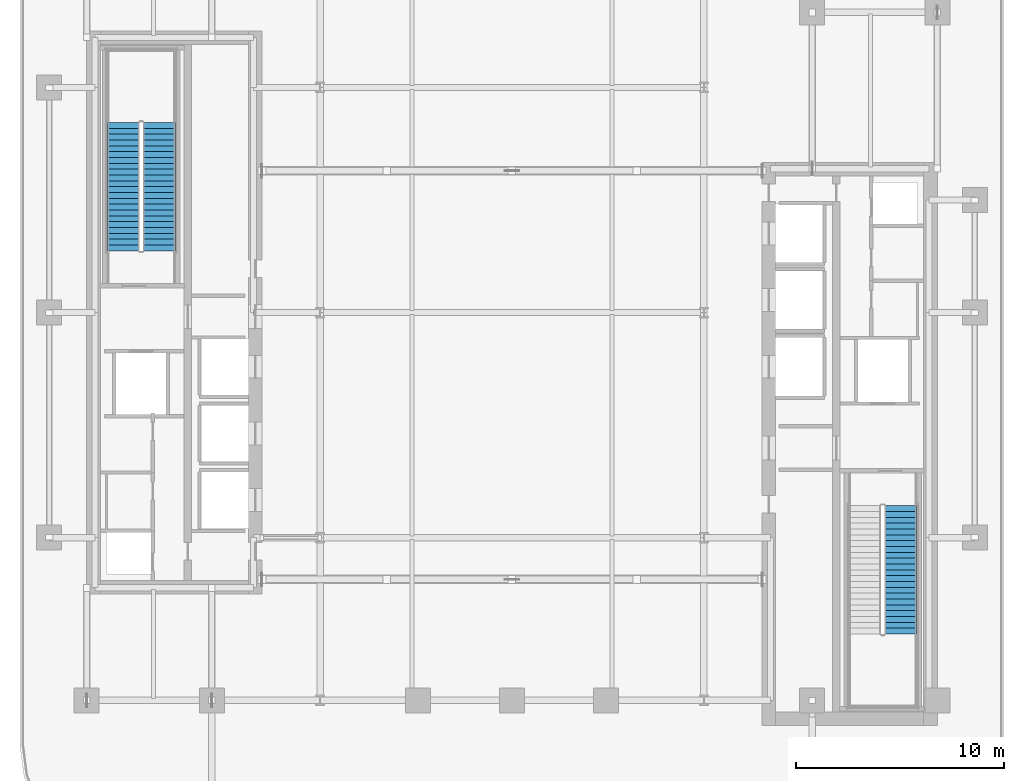
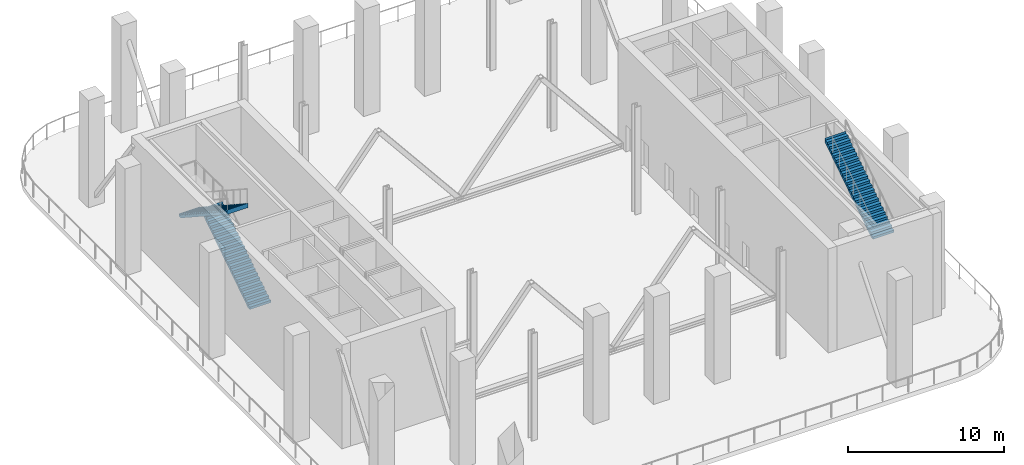
# One storey, part 7 of 13: 3 stair flights, 2 elements without a shape of their own.
"""IFC4 building model written with IfcOpenShell, lengths in metres."""

from ifc_helpers import new_model, si_unit, direction, frame, origin, place, context, subcontext, project, spatial, polyline, outline, extrude, material, layer, layer_set, type_object, element, aggregate, save


model = new_model("IFC4")

# Units and contexts
model_context = context("Model", 3, precision=1e-05, world=origin(), true_north=direction((0.0, 1.0)))
body_context = subcontext(model_context, "Body", "Model", "MODEL_VIEW")
ifc_project = project(units=[si_unit("LENGTHUNIT", "METRE"), si_unit("AREAUNIT", "SQUARE_METRE"), si_unit("VOLUMEUNIT", "CUBIC_METRE"), si_unit("PLANEANGLEUNIT", "RADIAN"), si_unit("MASSUNIT", "GRAM", prefix="KILO")], contexts=[model_context])

# Site, building, storey
site_placement = place(None, origin())
site = spatial("IfcSite", under=ifc_project, at=site_placement, CompositionType="ELEMENT")
building_placement = place(site_placement, origin())
building = spatial("IfcBuilding", under=site, at=building_placement, Name="Khairoan Windgate Tower", CompositionType="ELEMENT")
storey_placement = place(building_placement, frame((0.0, 0.0, 152.0)))
storey = spatial("IfcBuildingStorey", under=building, at=storey_placement, Name="L35", CompositionType="ELEMENT", Elevation=152.0)

# Stair, stair flight
ifc_material_1 = material(Name="Concrete C40/50", Category="concrete")
stair_type = type_object("IfcStairType", Name="Tower Core Dog-Leg Stair ST-T1 1560mm", PredefinedType="HALF_TURN_STAIR", material=ifc_material_1)
stair_1_placement = place(storey_placement, origin())
stair_1 = element("IfcStair", 1, at=stair_1_placement, inside=storey, type_object=stair_type, Name="L35 Stair ST1", PredefinedType="HALF_TURN_STAIR")
ifc_material_2 = material(Name="Concrete C40/50", Category="concrete")
ifc_layer = layer(ifc_material_2, 0.14990234375, Name="Concrete C40/50")
ifc_layer_set = layer_set([ifc_layer], Name="Concrete C40/50")
stair_flight_type = type_object("IfcStairFlightType", Name="Tower Core Stair Flight STF-1560", PredefinedType="STRAIGHT", material=ifc_layer_set)
stair_flight_1_placement = place(storey_placement, frame((18.639892578125, -15.419921875, 4.199951171875), z_axis=(0.0, 0.0, 1.0), x_axis=(0.0, 1.0, 0.0)))
stair_flight_1 = element("IfcStairFlight", 2, at=stair_flight_1_placement, type_object=stair_flight_type, Name="ST1 flight 2", NumberOfRisers=23, NumberOfTreads=22, PredefinedType="STRAIGHT", RiserHeight=0.182608696, TreadLength=0.28, context=body_context, shape_type="SweptSolid", body=[
    extrude(outline(polyline([(-0.00390625, 0.0), (-0.00390625, 0.1826171875), (0.0, 0.1826171875), (0.280029296875, 0.1826171875), (0.280029296875, 0.365234375), (0.56005859375, 0.365234375), (0.56005859375, 0.5478515625), (0.840087890625, 0.5478515625), (0.840087890625, 0.73046875), (1.1201171875, 0.73046875), (1.1201171875, 0.9130859375), (1.39990234375, 0.9130859375), (1.39990234375, 1.095703125), (1.679931640625, 1.095703125), (1.679931640625, 1.2783203125), (1.9599609375, 1.2783203125), (1.9599609375, 1.4609375), (2.239990234375, 1.4609375), (2.239990234375, 1.6435546875), (2.52001953125, 1.6435546875), (2.52001953125, 1.826171875), (2.800048828125, 1.826171875), (2.800048828125, 2.0087890625), (3.080078125, 2.0087890625), (3.080078125, 2.19140625), (3.360107421875, 2.19140625), (3.360107421875, 2.3740234375), (3.639892578125, 2.3740234375), (3.639892578125, 2.556640625), (3.919921875, 2.556640625), (3.919921875, 2.739013671875), (4.199951171875, 2.739013671875), (4.199951171875, 2.921630859375), (4.47998046875, 2.921630859375), (4.47998046875, 3.104248046875), (4.760009765625, 3.104248046875), (4.760009765625, 3.286865234375), (5.0400390625, 3.286865234375), (5.0400390625, 3.469482421875), (5.320068359375, 3.469482421875), (5.320068359375, 3.652099609375), (5.60009765625, 3.652099609375), (5.60009765625, 3.834716796875), (5.8798828125, 3.834716796875), (5.8798828125, 4.017333984375), (6.159912109375, 4.017333984375), (6.159912109375, 4.199951171875), (6.1640625, 4.199951171875), (6.1640625, 3.83837890625), (0.2744140625, 0.0), (-0.00390625, 0.0)])), frame((0.0, 0.780029296875, 0.0), z_axis=(0.0, -1.0, 0.0), x_axis=(1.0, 0.0, 0.0)), (0.0, 0.0, 1.0), 1.56005859375),
])
aggregate(stair_1, [stair_flight_1])

# Stair, stair flights
stair_2_placement = place(storey_placement, origin())
stair_2 = element("IfcStair", 3, at=stair_2_placement, inside=storey, type_object=stair_type, Name="L35 Stair ST2", PredefinedType="HALF_TURN_STAIR")
stair_flight_2_placement = place(storey_placement, frame((-16.929931640625, 2.9599609375, 0.0), z_axis=(0.0, 0.0, 1.0), x_axis=(0.0, 1.0, 0.0)))
stair_flight_2 = element("IfcStairFlight", 4, at=stair_flight_2_placement, type_object=stair_flight_type, Name="ST2 flight 1", NumberOfRisers=23, NumberOfTreads=22, PredefinedType="STRAIGHT", RiserHeight=0.182608696, TreadLength=0.28, context=body_context, shape_type="SweptSolid", body=[
    extrude(outline(polyline([(-0.00390625, 0.0), (-0.00390625, 0.1826171875), (0.0, 0.1826171875), (0.280029296875, 0.1826171875), (0.280029296875, 0.365234375), (0.56005859375, 0.365234375), (0.56005859375, 0.5478515625), (0.840087890625, 0.5478515625), (0.840087890625, 0.73046875), (1.1201171875, 0.73046875), (1.1201171875, 0.9130859375), (1.39990234375, 0.9130859375), (1.39990234375, 1.095703125), (1.679931640625, 1.095703125), (1.679931640625, 1.2783203125), (1.9599609375, 1.2783203125), (1.9599609375, 1.4609375), (2.239990234375, 1.4609375), (2.239990234375, 1.6435546875), (2.52001953125, 1.6435546875), (2.52001953125, 1.826171875), (2.800048828125, 1.826171875), (2.800048828125, 2.0087890625), (3.080078125, 2.0087890625), (3.080078125, 2.19140625), (3.360107421875, 2.19140625), (3.360107421875, 2.3740234375), (3.639892578125, 2.3740234375), (3.639892578125, 2.556640625), (3.919921875, 2.556640625), (3.919921875, 2.739013671875), (4.199951171875, 2.739013671875), (4.199951171875, 2.921630859375), (4.47998046875, 2.921630859375), (4.47998046875, 3.104248046875), (4.760009765625, 3.104248046875), (4.760009765625, 3.286865234375), (5.0400390625, 3.286865234375), (5.0400390625, 3.469482421875), (5.320068359375, 3.469482421875), (5.320068359375, 3.652099609375), (5.60009765625, 3.652099609375), (5.60009765625, 3.834716796875), (5.8798828125, 3.834716796875), (5.8798828125, 4.017333984375), (6.159912109375, 4.017333984375), (6.159912109375, 4.199951171875), (6.1640625, 4.199951171875), (6.1640625, 3.83837890625), (0.2744140625, 0.0), (-0.00390625, 0.0)])), frame((0.0, 0.780029296875, 0.0), z_axis=(0.0, -1.0, 0.0), x_axis=(1.0, 0.0, 0.0)), (0.0, 0.0, 1.0), 1.56005859375),
])
stair_flight_3_placement = place(storey_placement, frame((-18.639892578125, 9.1201171875, 4.199951171875), z_axis=(0.0, 0.0, 1.0), x_axis=(0.0, -1.0, 0.0)))
stair_flight_3 = element("IfcStairFlight", 5, at=stair_flight_3_placement, type_object=stair_flight_type, Name="ST2 flight 2", NumberOfRisers=23, NumberOfTreads=22, PredefinedType="STRAIGHT", RiserHeight=0.182608696, TreadLength=0.28, context=body_context, shape_type="SweptSolid", body=[
    extrude(outline(polyline([(-0.00390625, 0.0), (-0.00390625, 0.1826171875), (0.0, 0.1826171875), (0.280029296875, 0.1826171875), (0.280029296875, 0.365234375), (0.56005859375, 0.365234375), (0.56005859375, 0.5478515625), (0.840087890625, 0.5478515625), (0.840087890625, 0.73046875), (1.1201171875, 0.73046875), (1.1201171875, 0.9130859375), (1.39990234375, 0.9130859375), (1.39990234375, 1.095703125), (1.679931640625, 1.095703125), (1.679931640625, 1.2783203125), (1.9599609375, 1.2783203125), (1.9599609375, 1.4609375), (2.239990234375, 1.4609375), (2.239990234375, 1.6435546875), (2.52001953125, 1.6435546875), (2.52001953125, 1.826171875), (2.800048828125, 1.826171875), (2.800048828125, 2.0087890625), (3.080078125, 2.0087890625), (3.080078125, 2.19140625), (3.360107421875, 2.19140625), (3.360107421875, 2.3740234375), (3.639892578125, 2.3740234375), (3.639892578125, 2.556640625), (3.919921875, 2.556640625), (3.919921875, 2.739013671875), (4.199951171875, 2.739013671875), (4.199951171875, 2.921630859375), (4.47998046875, 2.921630859375), (4.47998046875, 3.104248046875), (4.760009765625, 3.104248046875), (4.760009765625, 3.286865234375), (5.0400390625, 3.286865234375), (5.0400390625, 3.469482421875), (5.320068359375, 3.469482421875), (5.320068359375, 3.652099609375), (5.60009765625, 3.652099609375), (5.60009765625, 3.834716796875), (5.8798828125, 3.834716796875), (5.8798828125, 4.017333984375), (6.159912109375, 4.017333984375), (6.159912109375, 4.199951171875), (6.1640625, 4.199951171875), (6.1640625, 3.83837890625), (0.2744140625, 0.0), (-0.00390625, 0.0)])), frame((0.0, 0.780029296875, 0.0), z_axis=(0.0, -1.0, 0.0), x_axis=(1.0, 0.0, 0.0)), (0.0, 0.0, 1.0), 1.56005859375),
])
aggregate(stair_2, [stair_flight_2, stair_flight_3])

save(model, "model.ifc")
